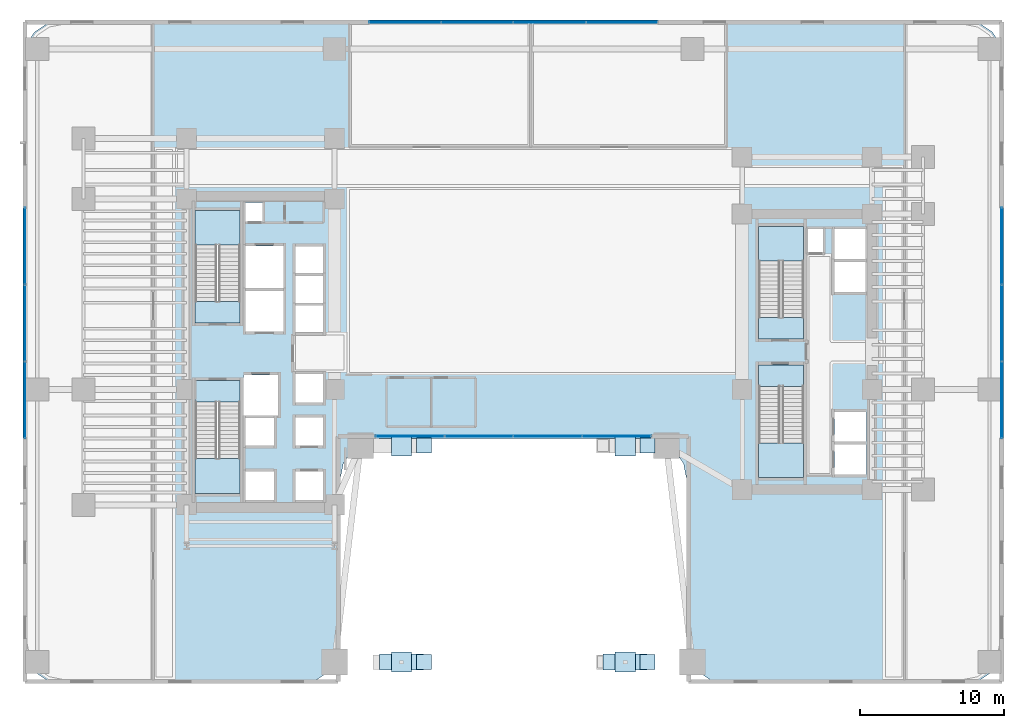
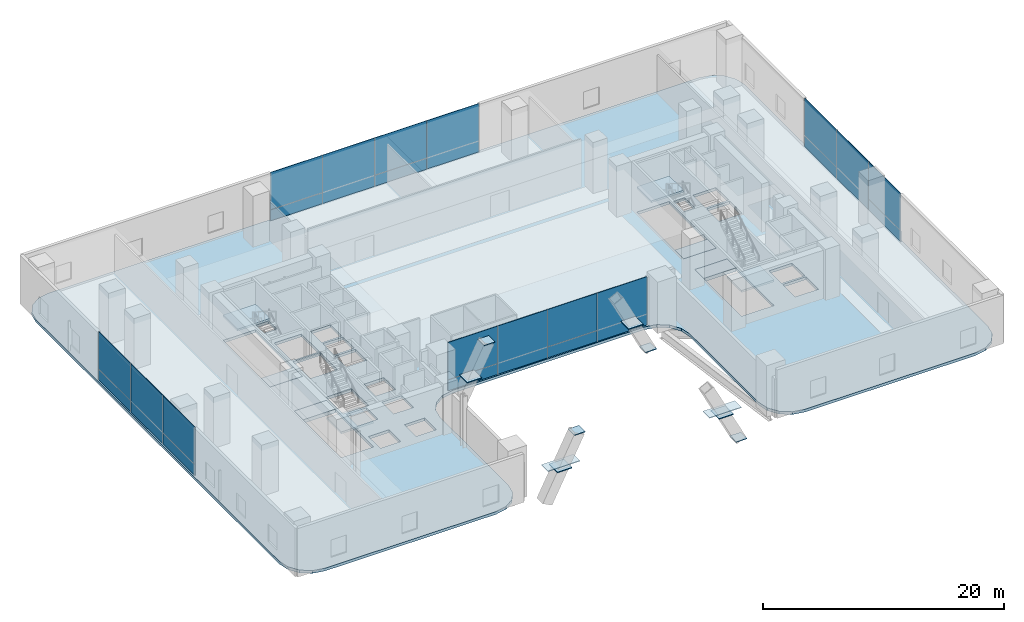
# One storey, part 25 of 39: 32 plates, 9 slabs, 8 elements without a shape of their own.
"""IFC4 building model written with IfcOpenShell, lengths in metres."""

from ifc_helpers import new_model, si_unit, direction, frame, origin, origin_2d, place, context, subcontext, project, spatial, polyline, rectangle, outline, extrude, source, transform, mapped, material, layer, layer_set, type_object, element, aggregate, save


model = new_model("IFC4")

# Units and contexts
model_context = context("Model", 3, precision=1e-05, world=origin(), true_north=direction((0.0, 1.0)))
body_context = subcontext(model_context, "Body", "Model", "MODEL_VIEW")
ifc_project = project(units=[si_unit("LENGTHUNIT", "METRE"), si_unit("AREAUNIT", "SQUARE_METRE"), si_unit("VOLUMEUNIT", "CUBIC_METRE"), si_unit("PLANEANGLEUNIT", "RADIAN"), si_unit("MASSUNIT", "GRAM", prefix="KILO")], contexts=[model_context])

# Site, building, storey
site_placement = place(None, origin())
site = spatial("IfcSite", under=ifc_project, at=site_placement, CompositionType="ELEMENT")
building_placement = place(site_placement, origin())
building = spatial("IfcBuilding", under=site, at=building_placement, Name="Valdorenza Pilgrim Sanctuary Tower", CompositionType="ELEMENT")
storey_placement = place(building_placement, frame((0.0, 0.0, 10.39990234375)))
storey = spatial("IfcBuildingStorey", under=building, at=storey_placement, Name="L02", CompositionType="ELEMENT", Elevation=10.39990234375)

# Slab
ifc_material_1 = material(Name="Concrete C40/50", Category="concrete")
ifc_layer_1 = layer(ifc_material_1, 0.280029296875, Name="Concrete C40/50")
ifc_layer_set_1 = layer_set([ifc_layer_1], Name="Concrete C40/50")
slab_type_1 = type_object("IfcSlabType", Name="SLAB-POD-280", PredefinedType="FLOOR", material=ifc_layer_set_1)
slab_1_placement = place(storey_placement, frame((0.0, 0.0, -0.27978515625)))
element("IfcSlab", 1, at=slab_1_placement, inside=storey, type_object=slab_type_1, Name="L02 Structural Floor Slab 1", PredefinedType="FLOOR", context=body_context, shape_type="SweptSolid", body=[
    extrude(outline(polyline([(-34.0, 20.199951171875), (-33.786865234375, 21.271484375), (-33.179931640625, 22.179931640625), (-32.271484375, 22.786865234375), (-31.199951171875, 23.0), (31.199951171875, 23.0), (32.271484375, 22.786865234375), (33.179931640625, 22.179931640625), (33.786865234375, 21.271484375), (34.0, 20.199951171875), (34.0, -20.199951171875), (33.786865234375, -21.271484375), (33.179931640625, -22.179931640625), (32.271484375, -22.786865234375), (31.199951171875, -23.0), (14.800048828125, -23.0), (13.728515625, -22.786865234375), (12.820068359375, -22.179931640625), (12.213134765625, -21.271484375), (12.0, -20.199951171875), (12.0, -8.800048828125), (11.786865234375, -7.728515625), (11.179931640625, -6.820068359375), (10.271484375, -6.213134765625), (9.199951171875, -6.0), (-9.199951171875, -6.0), (-10.271484375, -6.213134765625), (-11.179931640625, -6.820068359375), (-11.786865234375, -7.728515625), (-12.0, -8.800048828125), (-12.0, -20.199951171875), (-12.213134765625, -21.271484375), (-12.820068359375, -22.179931640625), (-13.728515625, -22.786865234375), (-14.800048828125, -23.0), (-31.199951171875, -23.0), (-32.271484375, -22.786865234375), (-33.179931640625, -22.179931640625), (-33.786865234375, -21.271484375), (-34.0, -20.199951171875), (-34.0, 20.199951171875)]), holes=[polyline([(-16.60009765625, -10.25), (-16.60009765625, -8.300048828125), (-18.550048828125, -8.300048828125), (-18.550048828125, -10.25), (-16.60009765625, -10.25)]), polyline([(-22.050048828125, -9.800048828125), (-18.93994140625, -9.800048828125), (-18.93994140625, -3.485107421875), (-18.93994140625, -2.0), (-22.050048828125, -2.0), (-22.050048828125, -3.485107421875), (-22.050048828125, -9.800048828125)]), polyline([(-18.550048828125, -6.5), (-16.60009765625, -6.5), (-16.60009765625, -4.60009765625), (-18.550048828125, -4.60009765625), (-18.550048828125, -6.5)]), polyline([(-13.179931640625, -6.5), (-13.179931640625, -4.550048828125), (-15.10009765625, -4.550048828125), (-15.10009765625, -6.5), (-13.179931640625, -6.5)]), polyline([(-18.719970703125, -4.39990234375), (-16.300048828125, -4.39990234375), (-16.300048828125, -1.60009765625), (-18.719970703125, -1.60009765625), (-18.719970703125, -4.39990234375)]), polyline([(-13.179931640625, -3.5), (-13.179931640625, -1.550048828125), (-15.10009765625, -1.550048828125), (-15.10009765625, -3.5), (-13.179931640625, -3.5)]), polyline([(-22.050048828125, 2.0), (-18.93994140625, 2.0), (-18.93994140625, 3.485107421875), (-18.93994140625, 9.800048828125), (-22.050048828125, 9.800048828125), (-22.050048828125, 3.485107421875), (-22.050048828125, 2.0)]), polyline([(-18.550048828125, 1.39990234375), (-15.949951171875, 1.39990234375), (-15.949951171875, 4.22509765625), (-18.550048828125, 4.22509765625), (-18.550048828125, 1.39990234375)]), polyline([(-15.949951171875, 4.425048828125), (-15.949951171875, 7.35009765625), (-18.550048828125, 7.35009765625), (-18.550048828125, 4.425048828125), (-15.949951171875, 4.425048828125)]), polyline([(-15.10009765625, 5.449951171875), (-13.179931640625, 5.449951171875), (-13.179931640625, 7.300048828125), (-15.10009765625, 7.300048828125), (-15.10009765625, 5.449951171875)]), polyline([(-17.360107421875, 9.030029296875), (-17.360107421875, 10.35009765625), (-18.570068359375, 10.35009765625), (-18.570068359375, 9.030029296875), (-17.360107421875, 9.030029296875)]), polyline([(-15.10009765625, -10.25), (-13.179931640625, -10.25), (-13.179931640625, -8.300048828125), (-15.10009765625, -8.300048828125), (-15.10009765625, -10.25)]), polyline([(22.25, -8.5), (24.47998046875, -8.5), (24.47998046875, -6.425048828125), (22.25, -6.425048828125), (22.25, -8.5)]), polyline([(17.0, -2.385009765625), (17.0, -8.699951171875), (20.110107421875, -8.699951171875), (20.110107421875, -2.385009765625), (20.110107421875, -0.89990234375), (17.0, -0.89990234375), (17.0, -2.385009765625)]), polyline([(22.25, -6.22509765625), (24.47998046875, -6.22509765625), (24.47998046875, -4.14990234375), (22.25, -4.14990234375), (22.25, -6.22509765625)]), polyline([(17.0, 0.89990234375), (20.110107421875, 0.89990234375), (20.110107421875, 2.385009765625), (20.110107421875, 8.699951171875), (17.0, 8.699951171875), (17.0, 2.385009765625), (17.0, 0.89990234375)]), polyline([(-15.10009765625, 1.35009765625), (-13.179931640625, 1.35009765625), (-13.179931640625, 3.199951171875), (-15.10009765625, 3.199951171875), (-15.10009765625, 1.35009765625)]), polyline([(-15.10009765625, 3.39990234375), (-13.179931640625, 3.39990234375), (-13.179931640625, 5.25), (-15.10009765625, 5.25), (-15.10009765625, 3.39990234375)]), polyline([(22.25, 4.14990234375), (24.47998046875, 4.14990234375), (24.47998046875, 6.22509765625), (22.25, 6.22509765625), (22.25, 4.14990234375)]), polyline([(22.25, 6.425048828125), (24.47998046875, 6.425048828125), (24.47998046875, 8.5), (22.25, 8.5), (22.25, 6.425048828125)]), polyline([(20.409912109375, 6.860107421875), (21.489990234375, 6.860107421875), (21.489990234375, 8.52001953125), (20.409912109375, 8.52001953125), (20.409912109375, 6.860107421875)])]), origin(), (0.0, 0.0, 1.0), 0.27978515625),
])

# Stair, slab
stair_type = type_object("IfcStairType", Name="STR-DOG-CORE", PredefinedType="HALF_TURN_STAIR", material=ifc_material_1)
stair_1_placement = place(storey_placement, origin())
stair_1 = element("IfcStair", 2, at=stair_1_placement, inside=storey, type_object=stair_type, Name="L02 ST-A1", PredefinedType="HALF_TURN_STAIR")
ifc_layer_2 = layer(ifc_material_1, 0.199951171875, Name="Concrete C40/50")
ifc_layer_set_2 = layer_set([ifc_layer_2], Name="Concrete C40/50")
slab_type_2 = type_object("IfcSlabType", Name="SLAB-STL-200", PredefinedType="LANDING", material=ifc_layer_set_2)
slab_2_placement = place(storey_placement, frame((0.0, 0.0, 2.400146484375)))
slab_2 = element("IfcSlab", 3, at=slab_2_placement, type_object=slab_type_2, Name="ST-A1 landing 1", PredefinedType="LANDING", context=body_context, shape_type="SweptSolid", body=[
    extrude(outline(polyline([(-18.93994140625, 7.39990234375), (-18.93994140625, 9.800048828125), (-22.050048828125, 9.800048828125), (-22.050048828125, 7.39990234375), (-18.93994140625, 7.39990234375)])), origin(), (0.0, 0.0, 1.0), 0.199951171875),
])
aggregate(stair_1, [slab_2])

stair_2_placement = place(storey_placement, origin())
stair_2 = element("IfcStair", 4, at=stair_2_placement, inside=storey, type_object=stair_type, Name="L02 ST-A2", PredefinedType="HALF_TURN_STAIR")
slab_3_placement = place(storey_placement, frame((0.0, 0.0, 2.400146484375)))
slab_3 = element("IfcSlab", 5, at=slab_3_placement, type_object=slab_type_2, Name="ST-A2 landing 1", PredefinedType="LANDING", context=body_context, shape_type="SweptSolid", body=[
    extrude(outline(polyline([(-22.050048828125, -7.39990234375), (-22.050048828125, -9.800048828125), (-18.93994140625, -9.800048828125), (-18.93994140625, -7.39990234375), (-22.050048828125, -7.39990234375)])), origin(), (0.0, 0.0, 1.0), 0.199951171875),
])
aggregate(stair_2, [slab_3])

stair_3_placement = place(storey_placement, origin())
stair_3 = element("IfcStair", 6, at=stair_3_placement, inside=storey, type_object=stair_type, Name="L02 ST-B1", PredefinedType="HALF_TURN_STAIR")
slab_4_placement = place(storey_placement, frame((0.0, 0.0, 2.400146484375)))
slab_4 = element("IfcSlab", 7, at=slab_4_placement, type_object=slab_type_2, Name="ST-B1 landing 1", PredefinedType="LANDING", context=body_context, shape_type="SweptSolid", body=[
    extrude(outline(polyline([(20.110107421875, 6.300048828125), (20.110107421875, 8.699951171875), (17.0, 8.699951171875), (17.0, 6.300048828125), (20.110107421875, 6.300048828125)])), origin(), (0.0, 0.0, 1.0), 0.199951171875),
])
aggregate(stair_3, [slab_4])

stair_4_placement = place(storey_placement, origin())
stair_4 = element("IfcStair", 8, at=stair_4_placement, inside=storey, type_object=stair_type, Name="L02 ST-B2", PredefinedType="HALF_TURN_STAIR")
slab_5_placement = place(storey_placement, frame((0.0, 0.0, 2.400146484375)))
slab_5 = element("IfcSlab", 9, at=slab_5_placement, type_object=slab_type_2, Name="ST-B2 landing 1", PredefinedType="LANDING", context=body_context, shape_type="SweptSolid", body=[
    extrude(outline(polyline([(17.0, -6.300048828125), (17.0, -8.699951171875), (20.110107421875, -8.699951171875), (20.110107421875, -6.300048828125), (17.0, -6.300048828125)])), origin(), (0.0, 0.0, 1.0), 0.199951171875),
])
aggregate(stair_4, [slab_5])

# Slabs
ifc_material_2 = material(Name="Concrete C50/60", Category="concrete")
ifc_layer_3 = layer(ifc_material_2, 0.39990234375, Name="Concrete C50/60")
ifc_layer_set_3 = layer_set([ifc_layer_3], Name="Concrete C50/60")
slab_type_3 = type_object("IfcSlabType", Name="SLAB-TRF-400", PredefinedType="FLOOR", material=ifc_layer_set_3)
slab_6_placement = place(storey_placement, frame((0.0, 0.0, -0.35986328125)))
element("IfcSlab", 10, at=slab_6_placement, inside=storey, type_object=slab_type_3, Name="L02 ST-A1 Structural Stair Landing Bearing Slab", PredefinedType="FLOOR", context=body_context, shape_type="SweptSolid", body=[
    extrude(outline(polyline([(-22.050048828125, 2.0), (-18.93994140625, 2.0), (-18.93994140625, 3.485107421875), (-22.050048828125, 3.485107421875), (-22.050048828125, 2.0)])), origin(), (0.0, 0.0, 1.0), 0.35986328125),
])
slab_7_placement = place(storey_placement, frame((0.0, 0.0, -0.35986328125)))
element("IfcSlab", 11, at=slab_7_placement, inside=storey, type_object=slab_type_3, Name="L02 ST-A2 Structural Stair Landing Bearing Slab", PredefinedType="FLOOR", context=body_context, shape_type="SweptSolid", body=[
    extrude(outline(polyline([(-22.050048828125, -3.485107421875), (-18.93994140625, -3.485107421875), (-18.93994140625, -2.0), (-22.050048828125, -2.0), (-22.050048828125, -3.485107421875)])), origin(), (0.0, 0.0, 1.0), 0.35986328125),
])
slab_8_placement = place(storey_placement, frame((0.0, 0.0, -0.35986328125)))
element("IfcSlab", 12, at=slab_8_placement, inside=storey, type_object=slab_type_3, Name="L02 ST-B1 Structural Stair Landing Bearing Slab", PredefinedType="FLOOR", context=body_context, shape_type="SweptSolid", body=[
    extrude(outline(polyline([(17.0, 0.89990234375), (20.110107421875, 0.89990234375), (20.110107421875, 2.385009765625), (17.0, 2.385009765625), (17.0, 0.89990234375)])), origin(), (0.0, 0.0, 1.0), 0.35986328125),
])
slab_9_placement = place(storey_placement, frame((0.0, 0.0, -0.35986328125)))
element("IfcSlab", 13, at=slab_9_placement, inside=storey, type_object=slab_type_3, Name="L02 ST-B2 Structural Stair Landing Bearing Slab", PredefinedType="FLOOR", context=body_context, shape_type="SweptSolid", body=[
    extrude(outline(polyline([(17.0, -2.385009765625), (20.110107421875, -2.385009765625), (20.110107421875, -0.89990234375), (17.0, -0.89990234375), (17.0, -2.385009765625)])), origin(), (0.0, 0.0, 1.0), 0.35986328125),
])

# Plates
ifc_material_3 = material(Name="Steel ASTM A572 Grade 42", Category="steel")
ifc_layer_4 = layer(ifc_material_3, 0.06005859375, Name="Steel ASTM A572 Grade 42")
ifc_layer_set_4 = layer_set([ifc_layer_4], Name="Steel ASTM A572 Grade 42")
plate_type_1 = type_object("IfcPlateType", Name="PLT-CAP-60", PredefinedType="SHEET", material=ifc_layer_set_4)
shared_shape_1 = source(origin(), body_context, "Body", "SweptSolid", [
    extrude(rectangle(XDim=1.050048828125, YDim=1.050048828125, at=origin_2d()), origin(), (0.0, 0.0, 1.0), 0.06005859375),
])
for number, where, z_axis, x_axis, name in (
    (14, (-6.199951171875, -21.5, 4.27001953125), (0.0, 0.0, 1.0), (1.0, 0.0, 0.0), "Parabolic Portal Arch Rib SOUTH Seg 2 End Connection Plate 2"),
    (15, (9.300048828125, -21.5, -1.85498046875), (0.0, 0.0, 1.0), (1.0, 0.0, 0.0), "Parabolic Portal Arch Rib SOUTH Seg 7 End Connection Plate 2"),
    (16, (-6.199951171875, -6.5, 4.27001953125), (0.0, 0.0, 1.0), (1.0, 0.0, 0.0), "Parabolic Portal Arch Rib INNER Seg 2 End Connection Plate 2"),
    (17, (9.300048828125, -6.5, -1.85498046875), (0.0, 0.0, 1.0), (1.0, 0.0, 0.0), "Parabolic Portal Arch Rib INNER Seg 7 End Connection Plate 2"),
):
    element("IfcPlate", number, at=place(storey_placement, frame(where, z_axis=z_axis, x_axis=x_axis)), inside=storey, type_object=plate_type_1, Name=name, PredefinedType="SHEET", context=body_context, shape_type="MappedRepresentation", body=[
        mapped(shared_shape_1, transform((0.0, 0.0, 0.0), x_axis=(1.0, 0.0, 0.0), y_axis=(0.0, 1.0, 0.0), z_axis=(0.0, 0.0, 1.0), scale=1.0)),
    ])
ifc_layer_5 = layer(ifc_material_3, 0.090087890625, Name="Steel ASTM A572 Grade 42")
ifc_layer_set_5 = layer_set([ifc_layer_5], Name="Steel ASTM A572 Grade 42")
plate_type_2 = type_object("IfcPlateType", Name="PLT-GUS-90", PredefinedType="USERDEFINED", material=ifc_layer_set_5)
shared_shape_2 = source(origin(), body_context, "Body", "SweptSolid", [
    extrude(rectangle(XDim=1.39990234375, YDim=1.39990234375, at=origin_2d()), origin(), (0.0, 0.0, 1.0), 0.090087890625),
])
for number, where, z_axis, x_axis, name in (
    (18, (-7.75, -21.5, 1.1923828125), (0.0, 0.0, 1.0), (1.0, 0.0, 0.0), "Truss Node Gusset Assembly AN-01 (MB-ARCH-SOUTH-2)"),
    (19, (7.75, -21.5, 1.1923828125), (0.0, 0.0, 1.0), (1.0, 0.0, 0.0), "Truss Node Gusset Assembly AN-01 (MB-ARCH-SOUTH-7)"),
    (20, (-7.75, -6.5, 1.1923828125), (0.0, 0.0, 1.0), (1.0, 0.0, 0.0), "Truss Node Gusset Assembly AN-01 (MB-ARCH-INNER-2)"),
    (21, (7.75, -6.5, 1.1923828125), (0.0, 0.0, 1.0), (1.0, 0.0, 0.0), "Truss Node Gusset Assembly AN-01 (MB-ARCH-INNER-7)"),
):
    element("IfcPlate", number, at=place(storey_placement, frame(where, z_axis=z_axis, x_axis=x_axis)), inside=storey, type_object=plate_type_2, Name=name, ObjectType="GUSSET PLATE", PredefinedType="USERDEFINED", context=body_context, shape_type="MappedRepresentation", body=[
        mapped(shared_shape_2, transform((0.0, 0.0, 0.0), x_axis=(1.0, 0.0, 0.0), y_axis=(0.0, 1.0, 0.0), z_axis=(0.0, 0.0, 1.0), scale=1.0)),
    ])

# Curtain wall, plates
ifc_material_4 = material(Name="Curtain-wall IGU glazing", Category="glass")
curtain_wall_type = type_object("IfcCurtainWallType", Name="CW-SYS-01", PredefinedType="NOTDEFINED", material=ifc_material_4)
curtain_wall_1_placement = place(storey_placement, origin())
curtain_wall_1 = element("IfcCurtainWall", 22, at=curtain_wall_1_placement, inside=storey, type_object=curtain_wall_type, Name="L02 Curtain Wall CW-POD-L02-WW", PredefinedType="NOTDEFINED")
ifc_material_5 = material(Name="Honed travertine limestone", Category="masonry")
ifc_layer_6 = layer(ifc_material_5, 0.050048828125, Name="Honed travertine limestone")
ifc_layer_set_6 = layer_set([ifc_layer_6], Name="Honed travertine limestone")
plate_type_3 = type_object("IfcPlateType", Name="CW-SPN-TRV", PredefinedType="USERDEFINED", material=ifc_layer_set_6)
shared_shape_3 = source(origin(), body_context, "Body", "SweptSolid", [
    extrude(rectangle(XDim=5.313232421875, YDim=0.06005859375, at=origin_2d()), origin(), (0.0, 0.0, 1.0), 1.10009765625),
])
plate_1_placement = place(storey_placement, frame((-33.85009765625, -3.333251953125, 0.010009765625), z_axis=(0.0, 0.0, 1.0), x_axis=(0.0, 1.0, 0.0)))
plate_1 = element("IfcPlate", 23, at=plate_1_placement, type_object=plate_type_3, Name="CW-POD-L02-WW Travertine Spandrel 1", ObjectType="SPANDREL", PredefinedType="USERDEFINED", context=body_context, shape_type="MappedRepresentation", body=[
    mapped(shared_shape_3, transform((0.0, 0.0, 0.0), x_axis=(1.0, 0.0, 0.0), y_axis=(0.0, 1.0, 0.0), z_axis=(0.0, 0.0, 1.0), scale=1.0)),
])
plate_2_placement = place(storey_placement, frame((-33.85009765625, 7.333251953125, 0.010009765625), z_axis=(0.0, 0.0, 1.0), x_axis=(0.0, 1.0, 0.0)))
plate_2 = element("IfcPlate", 24, at=plate_2_placement, type_object=plate_type_3, Name="CW-POD-L02-WW Travertine Spandrel 3", ObjectType="SPANDREL", PredefinedType="USERDEFINED", context=body_context, shape_type="MappedRepresentation", body=[
    mapped(shared_shape_3, transform((0.0, 0.0, 0.0), x_axis=(1.0, 0.0, 0.0), y_axis=(0.0, 1.0, 0.0), z_axis=(0.0, 0.0, 1.0), scale=1.0)),
])

curtain_wall_2_placement = place(storey_placement, origin())
curtain_wall_2 = element("IfcCurtainWall", 25, at=curtain_wall_2_placement, inside=storey, type_object=curtain_wall_type, Name="L02 Curtain Wall CW-POD-L02-EE", PredefinedType="NOTDEFINED")
plate_3_placement = place(storey_placement, frame((33.85009765625, -3.333251953125, 0.010009765625), z_axis=(0.0, 0.0, 1.0), x_axis=(0.0, 1.0, 0.0)))
plate_3 = element("IfcPlate", 26, at=plate_3_placement, type_object=plate_type_3, Name="CW-POD-L02-EE Travertine Spandrel 1", ObjectType="SPANDREL", PredefinedType="USERDEFINED", context=body_context, shape_type="MappedRepresentation", body=[
    mapped(shared_shape_3, transform((0.0, 0.0, 0.0), x_axis=(1.0, 0.0, 0.0), y_axis=(0.0, 1.0, 0.0), z_axis=(0.0, 0.0, 1.0), scale=1.0)),
])
plate_4_placement = place(storey_placement, frame((33.85009765625, 7.333251953125, 0.010009765625), z_axis=(0.0, 0.0, 1.0), x_axis=(0.0, 1.0, 0.0)))
plate_4 = element("IfcPlate", 27, at=plate_4_placement, type_object=plate_type_3, Name="CW-POD-L02-EE Travertine Spandrel 3", ObjectType="SPANDREL", PredefinedType="USERDEFINED", context=body_context, shape_type="MappedRepresentation", body=[
    mapped(shared_shape_3, transform((0.0, 0.0, 0.0), x_axis=(1.0, 0.0, 0.0), y_axis=(0.0, 1.0, 0.0), z_axis=(0.0, 0.0, 1.0), scale=1.0)),
])

# Plate
ifc_material_6 = material(Name="Ceramic-fritted low-E IGU glazing", Category="glass")
ifc_layer_7 = layer(ifc_material_6, 0.035888671875, Name="Ceramic-fritted low-E IGU glazing")
ifc_layer_set_7 = layer_set([ifc_layer_7], Name="Ceramic-fritted low-E IGU glazing")
plate_type_4 = type_object("IfcPlateType", Name="CW-GLZ-IGU", PredefinedType="USERDEFINED", material=ifc_layer_set_7)
shared_shape_4 = source(origin(), body_context, "Body", "SweptSolid", [
    extrude(rectangle(XDim=5.313232421875, YDim=0.050048828125, at=origin_2d()), origin(), (0.0, 0.0, 1.0), 3.780029296875),
])
plate_5_placement = place(storey_placement, frame((-33.85009765625, -3.333251953125, 1.1298828125), z_axis=(0.0, 0.0, 1.0), x_axis=(0.0, 1.0, 0.0)))
plate_5 = element("IfcPlate", 28, at=plate_5_placement, type_object=plate_type_4, Name="CW-POD-L02-WW Facade Panel 1", ObjectType="GLAZING", PredefinedType="USERDEFINED", context=body_context, shape_type="MappedRepresentation", body=[
    mapped(shared_shape_4, transform((0.0, 0.0, 0.0), x_axis=(1.0, 0.0, 0.0), y_axis=(0.0, 1.0, 0.0), z_axis=(0.0, 0.0, 1.0), scale=1.0)),
])

plate_6_placement = place(storey_placement, frame((-33.85009765625, 7.333251953125, 1.1298828125), z_axis=(0.0, 0.0, 1.0), x_axis=(0.0, 1.0, 0.0)))
plate_6 = element("IfcPlate", 29, at=plate_6_placement, type_object=plate_type_4, Name="CW-POD-L02-WW Facade Panel 3", ObjectType="GLAZING", PredefinedType="USERDEFINED", context=body_context, shape_type="MappedRepresentation", body=[
    mapped(shared_shape_4, transform((0.0, 0.0, 0.0), x_axis=(1.0, 0.0, 0.0), y_axis=(0.0, 1.0, 0.0), z_axis=(0.0, 0.0, 1.0), scale=1.0)),
])

plate_7_placement = place(storey_placement, frame((33.85009765625, -3.333251953125, 1.1298828125), z_axis=(0.0, 0.0, 1.0), x_axis=(0.0, 1.0, 0.0)))
plate_7 = element("IfcPlate", 30, at=plate_7_placement, type_object=plate_type_4, Name="CW-POD-L02-EE Facade Panel 1", ObjectType="GLAZING", PredefinedType="USERDEFINED", context=body_context, shape_type="MappedRepresentation", body=[
    mapped(shared_shape_4, transform((0.0, 0.0, 0.0), x_axis=(1.0, 0.0, 0.0), y_axis=(0.0, 1.0, 0.0), z_axis=(0.0, 0.0, 1.0), scale=1.0)),
])

plate_8_placement = place(storey_placement, frame((33.85009765625, 7.333251953125, 1.1298828125), z_axis=(0.0, 0.0, 1.0), x_axis=(0.0, 1.0, 0.0)))
plate_8 = element("IfcPlate", 31, at=plate_8_placement, type_object=plate_type_4, Name="CW-POD-L02-EE Facade Panel 3", ObjectType="GLAZING", PredefinedType="USERDEFINED", context=body_context, shape_type="MappedRepresentation", body=[
    mapped(shared_shape_4, transform((0.0, 0.0, 0.0), x_axis=(1.0, 0.0, 0.0), y_axis=(0.0, 1.0, 0.0), z_axis=(0.0, 0.0, 1.0), scale=1.0)),
])

shared_shape_5 = source(origin(), body_context, "Body", "SweptSolid", [
    extrude(rectangle(XDim=5.313232421875, YDim=0.050048828125, at=origin_2d()), origin(), (0.0, 0.0, 1.0), 4.89990234375),
])
plate_9_placement = place(storey_placement, frame((-33.85009765625, 2.0, 0.01025390625), z_axis=(0.0, 0.0, 1.0), x_axis=(0.0, 1.0, 0.0)))
plate_9 = element("IfcPlate", 32, at=plate_9_placement, type_object=plate_type_4, Name="CW-POD-L02-WW Full-Height Facade Panel 2", ObjectType="GLAZING", PredefinedType="USERDEFINED", context=body_context, shape_type="MappedRepresentation", body=[
    mapped(shared_shape_5, transform((0.0, 0.0, 0.0), x_axis=(1.0, 0.0, 0.0), y_axis=(0.0, 1.0, 0.0), z_axis=(0.0, 0.0, 1.0), scale=1.0)),
])

aggregate(curtain_wall_1, [plate_1, plate_5, plate_9, plate_2, plate_6])

plate_10_placement = place(storey_placement, frame((33.85009765625, 2.0, 0.01025390625), z_axis=(0.0, 0.0, 1.0), x_axis=(0.0, 1.0, 0.0)))
plate_10 = element("IfcPlate", 33, at=plate_10_placement, type_object=plate_type_4, Name="CW-POD-L02-EE Full-Height Facade Panel 2", ObjectType="GLAZING", PredefinedType="USERDEFINED", context=body_context, shape_type="MappedRepresentation", body=[
    mapped(shared_shape_5, transform((0.0, 0.0, 0.0), x_axis=(1.0, 0.0, 0.0), y_axis=(0.0, 1.0, 0.0), z_axis=(0.0, 0.0, 1.0), scale=1.0)),
])

aggregate(curtain_wall_2, [plate_3, plate_7, plate_10, plate_4, plate_8])

# Curtain wall, plates
curtain_wall_3_placement = place(storey_placement, origin())
curtain_wall_3 = element("IfcCurtainWall", 34, at=curtain_wall_3_placement, inside=storey, type_object=curtain_wall_type, Name="L02 Curtain Wall CW-POD-L02-ARCH-BACK", PredefinedType="NOTDEFINED")
shared_shape_6 = source(origin(), body_context, "Body", "SweptSolid", [
    extrude(rectangle(XDim=4.7548828125, YDim=0.06005859375, at=origin_2d()), origin(), (0.0, 0.0, 1.0), 1.10009765625),
])
plate_11_placement = place(storey_placement, frame((-7.16259765625, -5.85009765625, 0.010009765625), z_axis=(0.0, 0.0, 1.0), x_axis=(1.0, 0.0, 0.0)))
plate_11 = element("IfcPlate", 35, at=plate_11_placement, type_object=plate_type_3, Name="CW-POD-L02-ARCH-BACK Travertine Spandrel 1", ObjectType="SPANDREL", PredefinedType="USERDEFINED", context=body_context, shape_type="MappedRepresentation", body=[
    mapped(shared_shape_6, transform((0.0, 0.0, 0.0), x_axis=(1.0, 0.0, 0.0), y_axis=(0.0, 1.0, 0.0), z_axis=(0.0, 0.0, 1.0), scale=1.0)),
])
plate_12_placement = place(storey_placement, frame((2.387451171875, -5.85009765625, 0.010009765625), z_axis=(0.0, 0.0, 1.0), x_axis=(1.0, 0.0, 0.0)))
plate_12 = element("IfcPlate", 36, at=plate_12_placement, type_object=plate_type_3, Name="CW-POD-L02-ARCH-BACK Travertine Spandrel 3", ObjectType="SPANDREL", PredefinedType="USERDEFINED", context=body_context, shape_type="MappedRepresentation", body=[
    mapped(shared_shape_6, transform((0.0, 0.0, 0.0), x_axis=(1.0, 0.0, 0.0), y_axis=(0.0, 1.0, 0.0), z_axis=(0.0, 0.0, 1.0), scale=1.0)),
])
shared_shape_7 = source(origin(), body_context, "Body", "SweptSolid", [
    extrude(rectangle(XDim=4.7548828125, YDim=0.050048828125, at=origin_2d()), origin(), (0.0, 0.0, 1.0), 3.780029296875),
])
plate_13_placement = place(storey_placement, frame((-7.16259765625, -5.85009765625, 1.1298828125), z_axis=(0.0, 0.0, 1.0), x_axis=(1.0, 0.0, 0.0)))
plate_13 = element("IfcPlate", 37, at=plate_13_placement, type_object=plate_type_4, Name="CW-POD-L02-ARCH-BACK Facade Panel 1", ObjectType="GLAZING", PredefinedType="USERDEFINED", context=body_context, shape_type="MappedRepresentation", body=[
    mapped(shared_shape_7, transform((0.0, 0.0, 0.0), x_axis=(1.0, 0.0, 0.0), y_axis=(0.0, 1.0, 0.0), z_axis=(0.0, 0.0, 1.0), scale=1.0)),
])
plate_14_placement = place(storey_placement, frame((2.387451171875, -5.85009765625, 1.1298828125), z_axis=(0.0, 0.0, 1.0), x_axis=(1.0, 0.0, 0.0)))
plate_14 = element("IfcPlate", 38, at=plate_14_placement, type_object=plate_type_4, Name="CW-POD-L02-ARCH-BACK Facade Panel 3", ObjectType="GLAZING", PredefinedType="USERDEFINED", context=body_context, shape_type="MappedRepresentation", body=[
    mapped(shared_shape_7, transform((0.0, 0.0, 0.0), x_axis=(1.0, 0.0, 0.0), y_axis=(0.0, 1.0, 0.0), z_axis=(0.0, 0.0, 1.0), scale=1.0)),
])
shared_shape_8 = source(origin(), body_context, "Body", "SweptSolid", [
    extrude(rectangle(XDim=4.7548828125, YDim=0.050048828125, at=origin_2d()), origin(), (0.0, 0.0, 1.0), 4.89990234375),
])
plate_15_placement = place(storey_placement, frame((-2.387451171875, -5.85009765625, 0.01025390625), z_axis=(0.0, 0.0, 1.0), x_axis=(1.0, 0.0, 0.0)))
plate_15 = element("IfcPlate", 39, at=plate_15_placement, type_object=plate_type_4, Name="CW-POD-L02-ARCH-BACK Full-Height Facade Panel 2", ObjectType="GLAZING", PredefinedType="USERDEFINED", context=body_context, shape_type="MappedRepresentation", body=[
    mapped(shared_shape_8, transform((0.0, 0.0, 0.0), x_axis=(1.0, 0.0, 0.0), y_axis=(0.0, 1.0, 0.0), z_axis=(0.0, 0.0, 1.0), scale=1.0)),
])
plate_16_placement = place(storey_placement, frame((7.16259765625, -5.85009765625, 0.01025390625), z_axis=(0.0, 0.0, 1.0), x_axis=(1.0, 0.0, 0.0)))
plate_16 = element("IfcPlate", 40, at=plate_16_placement, type_object=plate_type_4, Name="CW-POD-L02-ARCH-BACK Full-Height Facade Panel 4", ObjectType="GLAZING", PredefinedType="USERDEFINED", context=body_context, shape_type="MappedRepresentation", body=[
    mapped(shared_shape_8, transform((0.0, 0.0, 0.0), x_axis=(1.0, 0.0, 0.0), y_axis=(0.0, 1.0, 0.0), z_axis=(0.0, 0.0, 1.0), scale=1.0)),
])
aggregate(curtain_wall_3, [plate_11, plate_13, plate_15, plate_12, plate_14, plate_16])

curtain_wall_4_placement = place(storey_placement, origin())
curtain_wall_4 = element("IfcCurtainWall", 41, at=curtain_wall_4_placement, inside=storey, type_object=curtain_wall_type, Name="L02 Curtain Wall CW-POD-L02-NN", PredefinedType="NOTDEFINED")
shared_shape_9 = source(origin(), body_context, "Body", "SweptSolid", [
    extrude(rectangle(XDim=4.97998046875, YDim=0.06005859375, at=origin_2d()), origin(), (0.0, 0.0, 1.0), 1.10009765625),
])
plate_17_placement = place(storey_placement, frame((-7.5, 22.85009765625, 0.010009765625), z_axis=(0.0, 0.0, 1.0), x_axis=(1.0, 0.0, 0.0)))
plate_17 = element("IfcPlate", 42, at=plate_17_placement, type_object=plate_type_3, Name="CW-POD-L02-NN Travertine Spandrel 1", ObjectType="SPANDREL", PredefinedType="USERDEFINED", context=body_context, shape_type="MappedRepresentation", body=[
    mapped(shared_shape_9, transform((0.0, 0.0, 0.0), x_axis=(1.0, 0.0, 0.0), y_axis=(0.0, 1.0, 0.0), z_axis=(0.0, 0.0, 1.0), scale=1.0)),
])
plate_18_placement = place(storey_placement, frame((2.5, 22.85009765625, 0.010009765625), z_axis=(0.0, 0.0, 1.0), x_axis=(1.0, 0.0, 0.0)))
plate_18 = element("IfcPlate", 43, at=plate_18_placement, type_object=plate_type_3, Name="CW-POD-L02-NN Travertine Spandrel 3", ObjectType="SPANDREL", PredefinedType="USERDEFINED", context=body_context, shape_type="MappedRepresentation", body=[
    mapped(shared_shape_9, transform((0.0, 0.0, 0.0), x_axis=(1.0, 0.0, 0.0), y_axis=(0.0, 1.0, 0.0), z_axis=(0.0, 0.0, 1.0), scale=1.0)),
])
shared_shape_10 = source(origin(), body_context, "Body", "SweptSolid", [
    extrude(rectangle(XDim=4.97998046875, YDim=0.050048828125, at=origin_2d()), origin(), (0.0, 0.0, 1.0), 3.780029296875),
])
plate_19_placement = place(storey_placement, frame((-7.5, 22.85009765625, 1.1298828125), z_axis=(0.0, 0.0, 1.0), x_axis=(1.0, 0.0, 0.0)))
plate_19 = element("IfcPlate", 44, at=plate_19_placement, type_object=plate_type_4, Name="CW-POD-L02-NN Facade Panel 1", ObjectType="GLAZING", PredefinedType="USERDEFINED", context=body_context, shape_type="MappedRepresentation", body=[
    mapped(shared_shape_10, transform((0.0, 0.0, 0.0), x_axis=(1.0, 0.0, 0.0), y_axis=(0.0, 1.0, 0.0), z_axis=(0.0, 0.0, 1.0), scale=1.0)),
])
plate_20_placement = place(storey_placement, frame((2.5, 22.85009765625, 1.1298828125), z_axis=(0.0, 0.0, 1.0), x_axis=(1.0, 0.0, 0.0)))
plate_20 = element("IfcPlate", 45, at=plate_20_placement, type_object=plate_type_4, Name="CW-POD-L02-NN Facade Panel 3", ObjectType="GLAZING", PredefinedType="USERDEFINED", context=body_context, shape_type="MappedRepresentation", body=[
    mapped(shared_shape_10, transform((0.0, 0.0, 0.0), x_axis=(1.0, 0.0, 0.0), y_axis=(0.0, 1.0, 0.0), z_axis=(0.0, 0.0, 1.0), scale=1.0)),
])
shared_shape_11 = source(origin(), body_context, "Body", "SweptSolid", [
    extrude(rectangle(XDim=4.97998046875, YDim=0.050048828125, at=origin_2d()), origin(), (0.0, 0.0, 1.0), 4.89990234375),
])
plate_21_placement = place(storey_placement, frame((-2.5, 22.85009765625, 0.01025390625), z_axis=(0.0, 0.0, 1.0), x_axis=(1.0, 0.0, 0.0)))
plate_21 = element("IfcPlate", 46, at=plate_21_placement, type_object=plate_type_4, Name="CW-POD-L02-NN Full-Height Facade Panel 2", ObjectType="GLAZING", PredefinedType="USERDEFINED", context=body_context, shape_type="MappedRepresentation", body=[
    mapped(shared_shape_11, transform((0.0, 0.0, 0.0), x_axis=(1.0, 0.0, 0.0), y_axis=(0.0, 1.0, 0.0), z_axis=(0.0, 0.0, 1.0), scale=1.0)),
])
plate_22_placement = place(storey_placement, frame((7.5, 22.85009765625, 0.01025390625), z_axis=(0.0, 0.0, 1.0), x_axis=(1.0, 0.0, 0.0)))
plate_22 = element("IfcPlate", 47, at=plate_22_placement, type_object=plate_type_4, Name="CW-POD-L02-NN Full-Height Facade Panel 4", ObjectType="GLAZING", PredefinedType="USERDEFINED", context=body_context, shape_type="MappedRepresentation", body=[
    mapped(shared_shape_11, transform((0.0, 0.0, 0.0), x_axis=(1.0, 0.0, 0.0), y_axis=(0.0, 1.0, 0.0), z_axis=(0.0, 0.0, 1.0), scale=1.0)),
])
aggregate(curtain_wall_4, [plate_17, plate_19, plate_21, plate_18, plate_20, plate_22])

# Plates
ifc_layer_8 = layer(ifc_material_5, 0.06494140625, Name="Honed travertine limestone")
ifc_layer_set_8 = layer_set([ifc_layer_8], Name="Honed travertine limestone")
plate_type_5 = type_object("IfcPlateType", Name="STN-ARCH-PNL", PredefinedType="USERDEFINED", material=ifc_layer_set_8)
shared_shape_12 = source(origin(), body_context, "Body", "SweptSolid", [
    extrude(rectangle(XDim=3.050048828125, YDim=1.10009765625, at=origin_2d()), origin(), (0.0, 0.0, 1.0), 0.06494140625),
])
for number, where, z_axis, x_axis, name in (
    (48, (-7.75, -21.5, 1.511474609375), (0.0, 0.0, 1.0), (1.0, 0.0, 0.0), "Portal Arch Honed Travertine Soffit Panel 2"),
    (49, (7.75, -21.5, 1.511474609375), (0.0, 0.0, 1.0), (1.0, 0.0, 0.0), "Portal Arch Honed Travertine Soffit Panel 7"),
):
    element("IfcPlate", number, at=place(storey_placement, frame(where, z_axis=z_axis, x_axis=x_axis)), inside=storey, type_object=plate_type_5, Name=name, ObjectType="CLADDING", PredefinedType="USERDEFINED", context=body_context, shape_type="MappedRepresentation", body=[
        mapped(shared_shape_12, transform((0.0, 0.0, 0.0), x_axis=(1.0, 0.0, 0.0), y_axis=(0.0, 1.0, 0.0), z_axis=(0.0, 0.0, 1.0), scale=1.0)),
    ])

save(model, "model.ifc")
